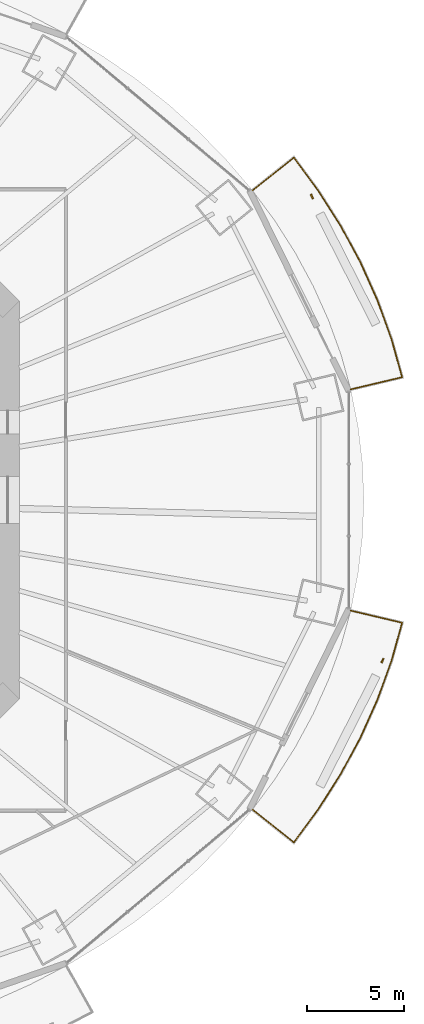
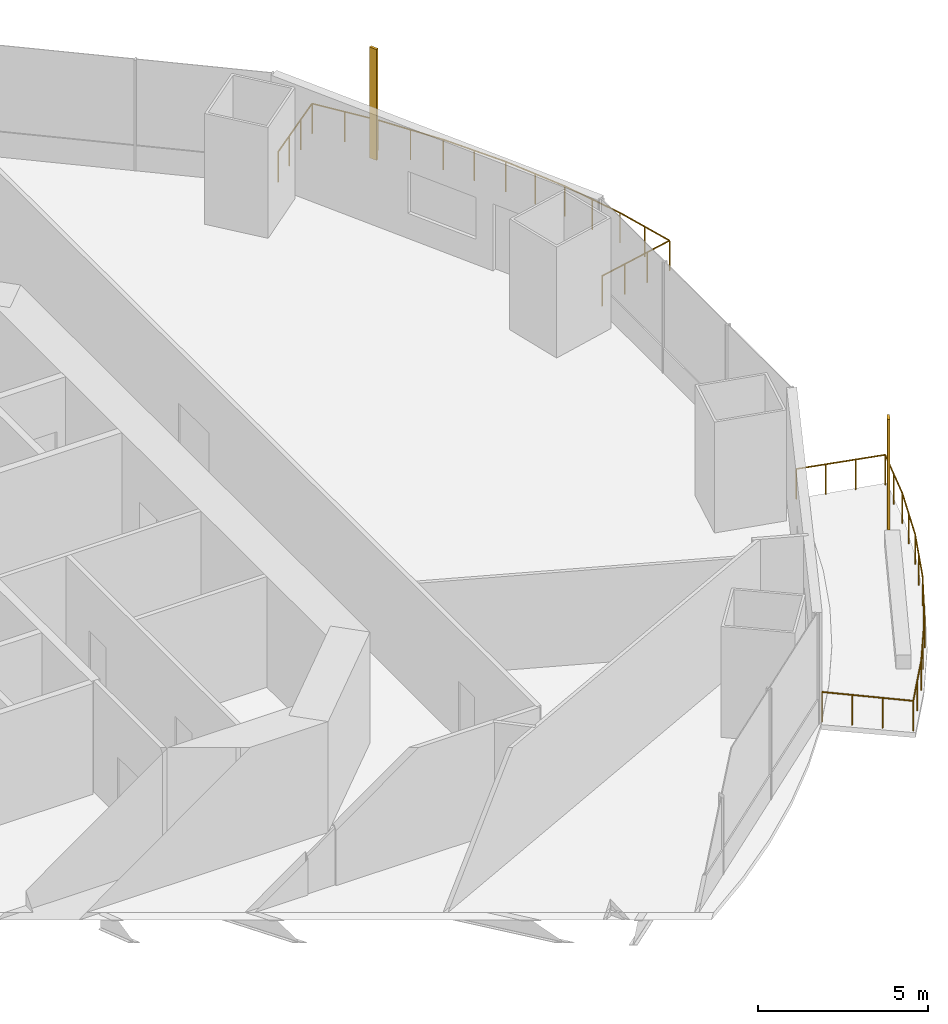
# One storey, part 21 of 22: 2 railings, 2 shading devices.
"""IFC4 building model written with IfcOpenShell, lengths in metres."""

import ifcopenshell
import ifcopenshell.guid

model = None  # the IFC model being written
_history = None  # IfcOwnerHistory: only IFC2X3 demands one
_inside = {}  # id of a spatial element -> (the spatial element, [elements in it])
_under = {}  # id of a project, library or spatial element -> (it, [spatial elements below it])
_declared = {}  # id of a project -> (the project, [libraries it declares])
_typed = {}  # id of a type object -> (the type object, [elements of that type])
_made_of = {}  # id of a material, layer set ... -> (it, [elements and type objects made of it])


def new_model(schema):
    """Start an empty IFC model of exactly this schema.

    Asked for "IFC4X3", IfcOpenShell would pick the latest addendum, in which some entities
    have other attributes; the version numbers below select the first issue.
    IFC2X3 requires an IfcOwnerHistory on every rooted entity: one is made here for all.
    """
    global model, _history
    if schema == "IFC4X3":
        model = ifcopenshell.file(schema_version=(4, 3, 0, 0))
    else:
        model = ifcopenshell.file(schema=schema)
    _inside.clear()
    _under.clear()
    _declared.clear()
    _typed.clear()
    _made_of.clear()
    _history = None
    if model.schema == "IFC2X3":
        org = make("IfcOrganization", Name="unknown")
        user = make(
            "IfcPersonAndOrganization",
            ThePerson=make("IfcPerson", FamilyName="unknown"),
            TheOrganization=org,
        )
        app = make(
            "IfcApplication",
            ApplicationDeveloper=org,
            Version="unknown",
            ApplicationFullName="unknown",
            ApplicationIdentifier="unknown",
        )
        _history = make(
            "IfcOwnerHistory",
            OwningUser=user,
            OwningApplication=app,
            ChangeAction="ADDED",
            CreationDate=0,
        )
    return model


def make(cls, **values):
    """One entity of the class cls with the attributes given. An attribute that is None is left unset."""
    return model.create_entity(
        cls, **{name: value for name, value in values.items() if value is not None}
    )


def rooted(cls, **values):
    """An entity with a GlobalId (a new one), such as an element, a storey or a relation."""
    return make(cls, GlobalId=ifcopenshell.guid.new(), OwnerHistory=_history, **values)


def si_unit(unit_type, name, prefix=None):
    """IfcSIUnit, for example si_unit("LENGTHUNIT", "METRE", prefix="MILLI")."""
    return make("IfcSIUnit", UnitType=unit_type, Prefix=prefix, Name=name)


def assignment(units):
    """IfcUnitAssignment: the units of a project."""
    return None if units is None else make("IfcUnitAssignment", Units=units)


def point(xyz):
    """IfcCartesianPoint."""
    return None if xyz is None else make("IfcCartesianPoint", Coordinates=xyz)


def direction(xyz):
    """IfcDirection."""
    return None if xyz is None else make("IfcDirection", DirectionRatios=xyz)


def frame(location, z_axis=None, x_axis=None):
    """IfcAxis2Placement3D, a coordinate frame: its origin and axes. An axis left out is left unset."""
    return make(
        "IfcAxis2Placement3D",
        Location=point(location),
        Axis=direction(z_axis),
        RefDirection=direction(x_axis),
    )


def frame_2d(location, x_axis=None):
    """IfcAxis2Placement2D, a coordinate frame in the plane: its origin and x axis."""
    return make(
        "IfcAxis2Placement2D", Location=point(location), RefDirection=direction(x_axis)
    )


def origin():
    """The frame at (0, 0, 0) with its axes left unset."""
    return frame((0.0, 0.0, 0.0))


def origin_2d():
    """The frame at (0, 0) in the plane with its x axis left unset."""
    return frame_2d((0.0, 0.0))


def place(relative_to, where):
    """IfcLocalPlacement: puts the frame where relative to a parent placement (None: the world)."""
    return make(
        "IfcLocalPlacement", PlacementRelTo=relative_to, RelativePlacement=where
    )


def context(
    kind, dimensions, precision=None, world=None, true_north=None, identifier=None
):
    """IfcGeometricRepresentationContext, for example the 3D "Model" context."""
    return make(
        "IfcGeometricRepresentationContext",
        ContextIdentifier=identifier,
        ContextType=kind,
        CoordinateSpaceDimension=dimensions,
        Precision=precision,
        WorldCoordinateSystem=world,
        TrueNorth=true_north,
    )


def subcontext(parent, identifier, kind, view, scale=None):
    """IfcGeometricRepresentationSubContext, for example "Body" below "Model"."""
    return make(
        "IfcGeometricRepresentationSubContext",
        ContextIdentifier=identifier,
        ContextType=kind,
        ParentContext=parent,
        TargetScale=scale,
        TargetView=view,
    )


def project(units=None, contexts=None):
    """IfcProject with its units and contexts."""
    return rooted(
        "IfcProject",
        Name="project",
        RepresentationContexts=contexts,
        UnitsInContext=assignment(units),
    )


def spatial(cls, under=None, at=None, **own):
    """A site, building, storey or space (cls), placed at a placement, below another one or the project."""
    s = rooted(cls, ObjectPlacement=at, **own)
    if under is not None:
        _under.setdefault(under.id(), (under, []))[1].append(s)
    return s


def profile(cls, at=None, kind="AREA", **sizes):
    """A parametric profile (cls). Its sizes go by their IFC names, for example OverallWidth=200.0."""
    return make(cls, ProfileType=kind, Position=at, **sizes)


def rectangle(**sizes):
    """IfcRectangleProfileDef."""
    return profile("IfcRectangleProfileDef", **sizes)


def circle(**sizes):
    """IfcCircleProfileDef."""
    return profile("IfcCircleProfileDef", **sizes)


def extrude(swept, where, along, depth):
    """IfcExtrudedAreaSolid: the profile swept, set in the frame where, extruded along a direction by depth."""
    return make(
        "IfcExtrudedAreaSolid",
        SweptArea=swept,
        Position=where,
        ExtrudedDirection=direction(along),
        Depth=depth,
    )


def shape(context_of_items, identifier, shape_type, items):
    """IfcShapeRepresentation: the items that make up one representation, for example the "Body"."""
    return make(
        "IfcShapeRepresentation",
        ContextOfItems=context_of_items,
        RepresentationIdentifier=identifier,
        RepresentationType=shape_type,
        Items=items,
    )


def material(Name=None, Category=None):
    """IfcMaterial."""
    return make("IfcMaterial", Name=Name, Category=Category)


def material_profile(
    of_material, cross_section, Name=None, Category=None, Priority=None
):
    """IfcMaterialProfile: a cross section and its material."""
    return make(
        "IfcMaterialProfile",
        Name=Name,
        Material=of_material,
        Profile=cross_section,
        Priority=Priority,
        Category=Category,
    )


def profile_set(profiles, Name=None, composite=None):
    """IfcMaterialProfileSet."""
    return make(
        "IfcMaterialProfileSet",
        Name=Name,
        MaterialProfiles=profiles,
        CompositeProfile=composite,
    )


def made_of(thing, what):
    """Note that an element or type object is made of a material, layer set ...; save() writes the relation."""
    if what is not None:
        _made_of.setdefault(what.id(), (what, []))[1].append(thing)
    return thing


def type_object(cls, material=None, **own):
    """A type object (cls), such as IfcWallType, which elements share."""
    return made_of(rooted(cls, **own), material)


def element(
    cls,
    number,
    at=None,
    inside=None,
    cuts=None,
    type_object=None,
    material=None,
    context=None,
    identifier="Body",
    shape_type=None,
    held_by="IfcProductDefinitionShape",
    body=None,
    shapes=None,
    **own,
):
    """One element of the class cls, such as IfcWall. Its Tag is "e" and its number.

    at: its placement. inside: the storey or other place that contains it. cuts: it is an
    opening in that element (IfcRelVoidsElement). A single representation is given by context,
    identifier, shape_type and body (its items); several are given by shapes. held_by: the class
    of the entity that holds the representations. save() writes the other relations.
    """
    e = rooted(cls, Tag="e%d" % number, ObjectPlacement=at, **own)
    if body is not None:
        shapes = [shape(context, identifier, shape_type, body)]
    if shapes is not None:
        e.Representation = make(held_by, Representations=shapes)
    if inside is not None:
        _inside.setdefault(inside.id(), (inside, []))[1].append(e)
    if cuts is not None:
        rooted(
            "IfcRelVoidsElement", RelatingBuildingElement=cuts, RelatedOpeningElement=e
        )
    if type_object is not None:
        _typed.setdefault(type_object.id(), (type_object, []))[1].append(e)
    return made_of(e, material)


def aggregate(whole, parts):
    """IfcRelAggregates: a whole, such as a stair, and the parts it consists of."""
    return rooted("IfcRelAggregates", RelatingObject=whole, RelatedObjects=parts)


def save(model, path):
    """Write the relations noted so far, then the file.

    IfcRelAggregates (storeys below a building ...), IfcRelContainedInSpatialStructure (elements
    in a storey), IfcRelDefinesByType, IfcRelAssociatesMaterial and IfcRelDeclares: one each for
    every whole, place, type object, material and project.
    """
    for whole, parts in _under.values():
        aggregate(whole, parts)
    for where, things in _inside.values():
        rooted(
            "IfcRelContainedInSpatialStructure",
            RelatedElements=things,
            RelatingStructure=where,
        )
    for kind, things in _typed.values():
        rooted("IfcRelDefinesByType", RelatedObjects=things, RelatingType=kind)
    for what, things in _made_of.values():
        rooted("IfcRelAssociatesMaterial", RelatedObjects=things, RelatingMaterial=what)
    for by, libraries in _declared.values():
        rooted("IfcRelDeclares", RelatingContext=by, RelatedDefinitions=libraries)
    model.write(path)


model = new_model("IFC4")

# Units and contexts
model_context = context("Model", 3, precision=1e-05, world=origin(), true_north=direction((0.0, 1.0)))
body_context = subcontext(model_context, "Body", "Model", "MODEL_VIEW")
ifc_project = project(units=[si_unit("LENGTHUNIT", "METRE"), si_unit("AREAUNIT", "SQUARE_METRE"), si_unit("VOLUMEUNIT", "CUBIC_METRE"), si_unit("PLANEANGLEUNIT", "RADIAN"), si_unit("MASSUNIT", "GRAM", prefix="KILO")], contexts=[model_context])

# Site, building, storey
site_placement = place(None, origin())
site = spatial("IfcSite", under=ifc_project, at=site_placement, CompositionType="ELEMENT")
building_placement = place(site_placement, origin())
building = spatial("IfcBuilding", under=site, at=building_placement, Name="Marenthal Gate Tower", CompositionType="ELEMENT")
storey_placement = place(building_placement, frame((0.0, 0.0, 107.699951171875)))
storey = spatial("IfcBuildingStorey", under=building, at=storey_placement, Name="L22", CompositionType="ELEMENT", Elevation=107.699951171875)

# Railings
ifc_material_1 = material(Name="Stainless steel", Category="steel")
railing_type = type_object("IfcRailingType", Name="Balcony guard 1100", PredefinedType="GUARDRAIL", material=ifc_material_1)
railing_1_placement = place(storey_placement, frame((28.607666015625, 15.9423828125, 0.0)))
element("IfcRailing", 1, at=railing_1_placement, inside=storey, type_object=railing_type, Name="Balcony guard L22 bay 1", PredefinedType="GUARDRAIL", context=body_context, shape_type="SweptSolid", body=[
    extrude(circle(Radius=0.02392578125, at=origin_2d()), frame((0.0, 0.0, 1.076171875), z_axis=(0.78234035398, 0.622677225641, -0.014718804411), x_axis=(-0.622744685996, 0.782425112112, 0.0)), (0.0, 0.0, 1.0), 2.72021484375),
    extrude(circle(Radius=0.02392578125, at=origin_2d()), frame((2.128173828125, 1.69384765625, 1.0361328125), z_axis=(0.594374737218, -0.804188206676, 0.0), x_axis=(0.804188206676, 0.594374737218, 0.0)), (0.0, 0.0, 1.0), 2.1025390625),
    extrude(circle(Radius=0.02392578125, at=origin_2d()), frame((3.3779296875, 0.0029296875, 1.0361328125), z_axis=(0.537437089424, -0.843303844953, 0.0), x_axis=(0.843303844953, 0.537437089424, 0.0)), (0.0, 0.0, 1.0), 2.16552734375),
    extrude(circle(Radius=0.02392578125, at=origin_2d()), frame((4.541748046875, -1.8232421875, 1.0361328125), z_axis=(0.475203433283, -0.87987595546, 0.0), x_axis=(0.87987595546, 0.475203433283, 0.0)), (0.0, 0.0, 1.0), 2.149658203125),
    extrude(circle(Radius=0.02392578125, at=origin_2d()), frame((5.563232421875, -3.714599609375, 1.0361328125), z_axis=(0.40931851754, -0.912391555857, 0.0), x_axis=(0.912391555857, 0.40931851754, 0.0)), (0.0, 0.0, 1.0), 2.13525390625),
    extrude(circle(Radius=0.02392578125, at=origin_2d()), frame((6.437255859375, -5.662841796875, 1.0361328125), z_axis=(0.340071165829, -0.940399703409, 0.0), x_axis=(0.940399703409, 0.340071165829, 0.0)), (0.0, 0.0, 1.0), 2.122802734375),
    extrude(circle(Radius=0.02392578125, at=origin_2d()), frame((7.1591796875, -7.6591796875, 1.0361328125), z_axis=(0.269340401915, -0.963045039391, 0.0), x_axis=(0.963045039391, 0.269340401915, 0.0)), (0.0, 0.0, 1.0), 2.033203125),
    extrude(circle(Radius=0.02392578125, at=origin_2d()), frame((7.706787109375, -9.6171875, 1.0361328125), z_axis=(-0.972946801612, -0.230559942195, 0.014718501565), x_axis=(0.230584919848, -0.973052205557, 0.0)), (0.0, 0.0, 1.0), 2.72021484375),
    extrude(circle(Radius=0.02099609375, at=origin_2d()), origin(), (0.0, 0.0, 1.0), 1.052001953125),
    extrude(circle(Radius=0.02099609375, at=origin_2d()), frame((0.70947265625, 0.564697265625, -0.013427734375)), (0.0, 0.0, 1.0), 1.052001953125),
    extrude(circle(Radius=0.02099609375, at=origin_2d()), frame((1.418701171875, 1.129150390625, -0.026611328125)), (0.0, 0.0, 1.0), 1.052001953125),
    extrude(circle(Radius=0.02099609375, at=origin_2d()), frame((2.128173828125, 1.69384765625, -0.0400390625)), (0.0, 0.0, 1.0), 1.052001953125),
    extrude(circle(Radius=0.02099609375, at=origin_2d()), frame((2.7529296875, 0.848388671875, -0.0400390625)), (0.0, 0.0, 1.0), 1.052001953125),
    extrude(circle(Radius=0.02099609375, at=origin_2d()), frame((3.3779296875, 0.0029296875, -0.0400390625)), (0.0, 0.0, 1.0), 1.052001953125),
    extrude(circle(Radius=0.02099609375, at=origin_2d()), frame((3.9599609375, -0.91015625, -0.0400390625)), (0.0, 0.0, 1.0), 1.052001953125),
    extrude(circle(Radius=0.02099609375, at=origin_2d()), frame((4.541748046875, -1.8232421875, -0.0400390625)), (0.0, 0.0, 1.0), 1.052001953125),
    extrude(circle(Radius=0.02099609375, at=origin_2d()), frame((5.052490234375, -2.76904296875, -0.0400390625)), (0.0, 0.0, 1.0), 1.052001953125),
    extrude(circle(Radius=0.02099609375, at=origin_2d()), frame((5.563232421875, -3.714599609375, -0.0400390625)), (0.0, 0.0, 1.0), 1.052001953125),
    extrude(circle(Radius=0.02099609375, at=origin_2d()), frame((6.000244140625, -4.688720703125, -0.0400390625)), (0.0, 0.0, 1.0), 1.052001953125),
    extrude(circle(Radius=0.02099609375, at=origin_2d()), frame((6.437255859375, -5.662841796875, -0.0400390625)), (0.0, 0.0, 1.0), 1.052001953125),
    extrude(circle(Radius=0.02099609375, at=origin_2d()), frame((6.79833984375, -6.6611328125, -0.0400390625)), (0.0, 0.0, 1.0), 1.052001953125),
    extrude(circle(Radius=0.02099609375, at=origin_2d()), frame((7.1591796875, -7.6591796875, -0.0400390625)), (0.0, 0.0, 1.0), 1.052001953125),
    extrude(circle(Radius=0.02099609375, at=origin_2d()), frame((7.43310546875, -8.63818359375, -0.0400390625)), (0.0, 0.0, 1.0), 1.052001953125),
    extrude(circle(Radius=0.02099609375, at=origin_2d()), frame((7.706787109375, -9.6171875, -0.0400390625)), (0.0, 0.0, 1.0), 1.052001953125),
    extrude(circle(Radius=0.02099609375, at=origin_2d()), frame((6.824462890625, -9.826171875, -0.026611328125)), (0.0, 0.0, 1.0), 1.052001953125),
    extrude(circle(Radius=0.02099609375, at=origin_2d()), frame((5.9423828125, -10.035400390625, -0.013427734375)), (0.0, 0.0, 1.0), 1.052001953125),
    extrude(circle(Radius=0.02099609375, at=origin_2d()), frame((5.06005859375, -10.244384765625, 0.0)), (0.0, 0.0, 1.0), 1.052001953125),
])
railing_2_placement = place(storey_placement, frame((33.667724609375, -5.697998046875, 0.0)))
element("IfcRailing", 2, at=railing_2_placement, inside=storey, type_object=railing_type, Name="Balcony guard L22 bay 15", PredefinedType="GUARDRAIL", context=body_context, shape_type="SweptSolid", body=[
    extrude(circle(Radius=0.02392578125, at=origin_2d()), frame((0.0, 0.0, 1.076171875), z_axis=(0.972946801612, -0.230559942195, -0.014718501565), x_axis=(0.230584919848, 0.973052205557, 0.0)), (0.0, 0.0, 1.0), 2.72021484375),
    extrude(circle(Radius=0.02392578125, at=origin_2d()), frame((2.646728515625, -0.627197265625, 1.0361328125), z_axis=(-0.269340401915, -0.963045039391, 0.0), x_axis=(0.963045039391, -0.269340401915, 0.0)), (0.0, 0.0, 1.0), 2.033203125),
    extrude(circle(Radius=0.02392578125, at=origin_2d()), frame((2.09912109375, -2.585205078125, 1.0361328125), z_axis=(-0.340071165829, -0.940399703409, 0.0), x_axis=(0.940399703409, -0.340071165829, 0.0)), (0.0, 0.0, 1.0), 2.122802734375),
    extrude(circle(Radius=0.02392578125, at=origin_2d()), frame((1.377197265625, -4.58154296875, 1.0361328125), z_axis=(-0.40931851754, -0.912391555857, 0.0), x_axis=(0.912391555857, -0.40931851754, 0.0)), (0.0, 0.0, 1.0), 2.13525390625),
    extrude(circle(Radius=0.02392578125, at=origin_2d()), frame((0.503173828125, -6.52978515625, 1.0361328125), z_axis=(-0.475203433283, -0.87987595546, 0.0), x_axis=(0.87987595546, -0.475203433283, 0.0)), (0.0, 0.0, 1.0), 2.149658203125),
    extrude(circle(Radius=0.02392578125, at=origin_2d()), frame((-0.518310546875, -8.421142578125, 1.0361328125), z_axis=(-0.537437089424, -0.843303844953, 0.0), x_axis=(0.843303844953, -0.537437089424, 0.0)), (0.0, 0.0, 1.0), 2.16552734375),
    extrude(circle(Radius=0.02392578125, at=origin_2d()), frame((-1.68212890625, -10.247314453125, 1.0361328125), z_axis=(-0.594374737218, -0.804188206676, 0.0), x_axis=(0.804188206676, -0.594374737218, 0.0)), (0.0, 0.0, 1.0), 2.1025390625),
    extrude(circle(Radius=0.02392578125, at=origin_2d()), frame((-2.931884765625, -11.938232421875, 1.0361328125), z_axis=(-0.78234035398, 0.622677225641, 0.014718804411), x_axis=(-0.622744685996, -0.782425112112, 0.0)), (0.0, 0.0, 1.0), 2.72021484375),
    extrude(circle(Radius=0.02099609375, at=origin_2d()), origin(), (0.0, 0.0, 1.0), 1.052001953125),
    extrude(circle(Radius=0.02099609375, at=origin_2d()), frame((0.88232421875, -0.208984375, -0.013427734375)), (0.0, 0.0, 1.0), 1.052001953125),
    extrude(circle(Radius=0.02099609375, at=origin_2d()), frame((1.764404296875, -0.418212890625, -0.026611328125)), (0.0, 0.0, 1.0), 1.052001953125),
    extrude(circle(Radius=0.02099609375, at=origin_2d()), frame((2.646728515625, -0.627197265625, -0.0400390625)), (0.0, 0.0, 1.0), 1.052001953125),
    extrude(circle(Radius=0.02099609375, at=origin_2d()), frame((2.373046875, -1.606201171875, -0.0400390625)), (0.0, 0.0, 1.0), 1.052001953125),
    extrude(circle(Radius=0.02099609375, at=origin_2d()), frame((2.09912109375, -2.585205078125, -0.0400390625)), (0.0, 0.0, 1.0), 1.052001953125),
    extrude(circle(Radius=0.02099609375, at=origin_2d()), frame((1.73828125, -3.58349609375, -0.0400390625)), (0.0, 0.0, 1.0), 1.052001953125),
    extrude(circle(Radius=0.02099609375, at=origin_2d()), frame((1.377197265625, -4.58154296875, -0.0400390625)), (0.0, 0.0, 1.0), 1.052001953125),
    extrude(circle(Radius=0.02099609375, at=origin_2d()), frame((0.940185546875, -5.5556640625, -0.0400390625)), (0.0, 0.0, 1.0), 1.052001953125),
    extrude(circle(Radius=0.02099609375, at=origin_2d()), frame((0.503173828125, -6.52978515625, -0.0400390625)), (0.0, 0.0, 1.0), 1.052001953125),
    extrude(circle(Radius=0.02099609375, at=origin_2d()), frame((-0.007568359375, -7.4755859375, -0.0400390625)), (0.0, 0.0, 1.0), 1.052001953125),
    extrude(circle(Radius=0.02099609375, at=origin_2d()), frame((-0.518310546875, -8.421142578125, -0.0400390625)), (0.0, 0.0, 1.0), 1.052001953125),
    extrude(circle(Radius=0.02099609375, at=origin_2d()), frame((-1.10009765625, -9.334228515625, -0.0400390625)), (0.0, 0.0, 1.0), 1.052001953125),
    extrude(circle(Radius=0.02099609375, at=origin_2d()), frame((-1.68212890625, -10.247314453125, -0.0400390625)), (0.0, 0.0, 1.0), 1.052001953125),
    extrude(circle(Radius=0.02099609375, at=origin_2d()), frame((-2.30712890625, -11.0927734375, -0.0400390625)), (0.0, 0.0, 1.0), 1.052001953125),
    extrude(circle(Radius=0.02099609375, at=origin_2d()), frame((-2.931884765625, -11.938232421875, -0.0400390625)), (0.0, 0.0, 1.0), 1.052001953125),
    extrude(circle(Radius=0.02099609375, at=origin_2d()), frame((-3.641357421875, -11.37353515625, -0.026611328125)), (0.0, 0.0, 1.0), 1.052001953125),
    extrude(circle(Radius=0.02099609375, at=origin_2d()), frame((-4.3505859375, -10.80908203125, -0.013427734375)), (0.0, 0.0, 1.0), 1.052001953125),
    extrude(circle(Radius=0.02099609375, at=origin_2d()), frame((-5.06005859375, -10.244384765625, 0.0)), (0.0, 0.0, 1.0), 1.052001953125),
])

# Shading devices
ifc_material_2 = material(Name="Terracotta", Category="masonry")
ifc_material_profile = material_profile(ifc_material_2, rectangle(XDim=0.25, YDim=0.080078125, at=origin_2d()), Name="Terracotta baguette 250x80")
ifc_profile_set = profile_set([ifc_material_profile], Name="Terracotta")
shading_device_type = type_object("IfcShadingDeviceType", Name="Terracotta BAGUETTE SCREEN 250x80", PredefinedType="USERDEFINED", material=ifc_profile_set)
for number, where, z_axis, x_axis, name in (
    (3, (31.668212890625, 15.629150390625, -0.0400390625), (0.0, 0.0, 1.0), (-0.442731257123, 0.896654355907, 0.0), "Terracotta BAGUETTE L22 bay 1R"),
    (4, (35.300048828125, -8.2734375, -0.0400390625), (0.0, 0.0, 1.0), (0.442731257123, 0.896654355907, 0.0), "Terracotta BAGUETTE L22 bay 15R"),
):
    element("IfcShadingDevice", number, at=place(storey_placement, frame(where, z_axis=z_axis, x_axis=x_axis)), inside=storey, type_object=shading_device_type, Name=name, ObjectType="BAGUETTE SCREEN", PredefinedType="USERDEFINED", context=body_context, shape_type="SweptSolid", body=[
        extrude(rectangle(XDim=0.25, YDim=0.080078125, at=origin_2d()), origin(), (0.0, 0.0, 1.0), 3.969970703125),
    ])

save(model, "model.ifc")
